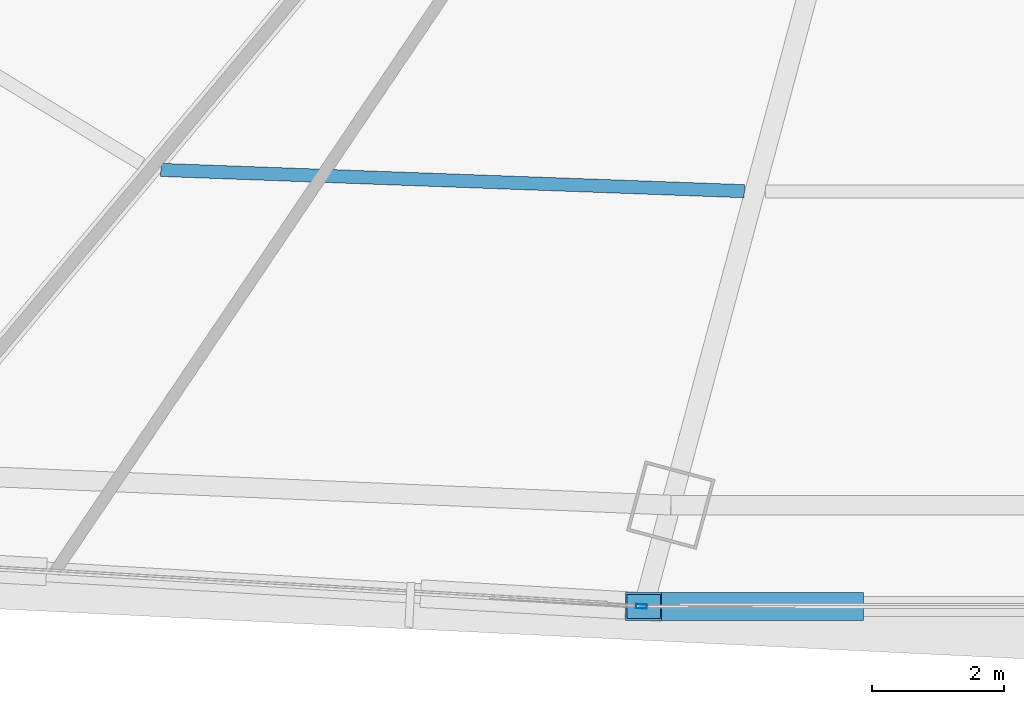
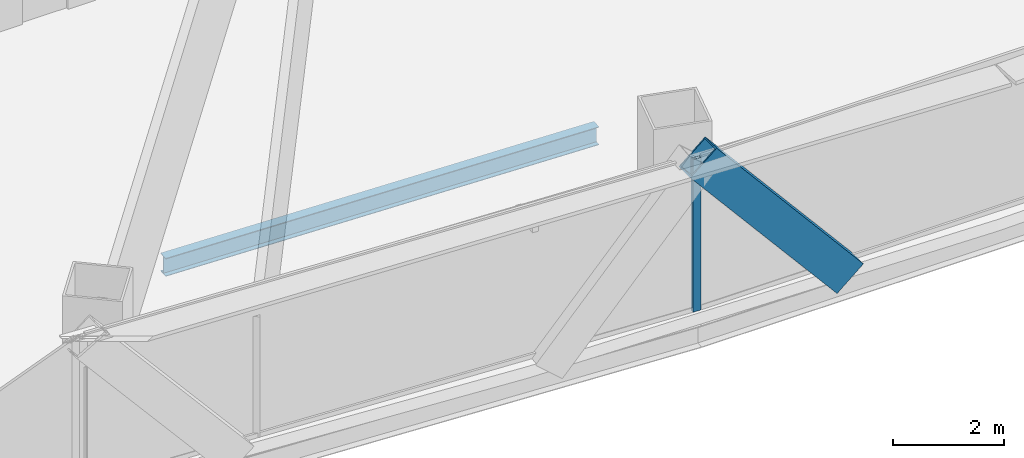
# One storey, part 8 of 42: 2 members, 1 beam, 1 element without a shape of its own.
"""IFC4 building model written with IfcOpenShell, lengths in metres."""

import ifcopenshell
import ifcopenshell.guid

model = None  # the IFC model being written
_history = None  # IfcOwnerHistory: only IFC2X3 demands one
_inside = {}  # id of a spatial element -> (the spatial element, [elements in it])
_under = {}  # id of a project, library or spatial element -> (it, [spatial elements below it])
_declared = {}  # id of a project -> (the project, [libraries it declares])
_typed = {}  # id of a type object -> (the type object, [elements of that type])
_made_of = {}  # id of a material, layer set ... -> (it, [elements and type objects made of it])


def new_model(schema):
    """Start an empty IFC model of exactly this schema.

    Asked for "IFC4X3", IfcOpenShell would pick the latest addendum, in which some entities
    have other attributes; the version numbers below select the first issue.
    IFC2X3 requires an IfcOwnerHistory on every rooted entity: one is made here for all.
    """
    global model, _history
    if schema == "IFC4X3":
        model = ifcopenshell.file(schema_version=(4, 3, 0, 0))
    else:
        model = ifcopenshell.file(schema=schema)
    _inside.clear()
    _under.clear()
    _declared.clear()
    _typed.clear()
    _made_of.clear()
    _history = None
    if model.schema == "IFC2X3":
        org = make("IfcOrganization", Name="unknown")
        user = make(
            "IfcPersonAndOrganization",
            ThePerson=make("IfcPerson", FamilyName="unknown"),
            TheOrganization=org,
        )
        app = make(
            "IfcApplication",
            ApplicationDeveloper=org,
            Version="unknown",
            ApplicationFullName="unknown",
            ApplicationIdentifier="unknown",
        )
        _history = make(
            "IfcOwnerHistory",
            OwningUser=user,
            OwningApplication=app,
            ChangeAction="ADDED",
            CreationDate=0,
        )
    return model


def make(cls, **values):
    """One entity of the class cls with the attributes given. An attribute that is None is left unset."""
    return model.create_entity(
        cls, **{name: value for name, value in values.items() if value is not None}
    )


def rooted(cls, **values):
    """An entity with a GlobalId (a new one), such as an element, a storey or a relation."""
    return make(cls, GlobalId=ifcopenshell.guid.new(), OwnerHistory=_history, **values)


def si_unit(unit_type, name, prefix=None):
    """IfcSIUnit, for example si_unit("LENGTHUNIT", "METRE", prefix="MILLI")."""
    return make("IfcSIUnit", UnitType=unit_type, Prefix=prefix, Name=name)


def assignment(units):
    """IfcUnitAssignment: the units of a project."""
    return None if units is None else make("IfcUnitAssignment", Units=units)


def point(xyz):
    """IfcCartesianPoint."""
    return None if xyz is None else make("IfcCartesianPoint", Coordinates=xyz)


def direction(xyz):
    """IfcDirection."""
    return None if xyz is None else make("IfcDirection", DirectionRatios=xyz)


def frame(location, z_axis=None, x_axis=None):
    """IfcAxis2Placement3D, a coordinate frame: its origin and axes. An axis left out is left unset."""
    return make(
        "IfcAxis2Placement3D",
        Location=point(location),
        Axis=direction(z_axis),
        RefDirection=direction(x_axis),
    )


def frame_2d(location, x_axis=None):
    """IfcAxis2Placement2D, a coordinate frame in the plane: its origin and x axis."""
    return make(
        "IfcAxis2Placement2D", Location=point(location), RefDirection=direction(x_axis)
    )


def origin():
    """The frame at (0, 0, 0) with its axes left unset."""
    return frame((0.0, 0.0, 0.0))


def origin_2d():
    """The frame at (0, 0) in the plane with its x axis left unset."""
    return frame_2d((0.0, 0.0))


def place(relative_to, where):
    """IfcLocalPlacement: puts the frame where relative to a parent placement (None: the world)."""
    return make(
        "IfcLocalPlacement", PlacementRelTo=relative_to, RelativePlacement=where
    )


def context(
    kind, dimensions, precision=None, world=None, true_north=None, identifier=None
):
    """IfcGeometricRepresentationContext, for example the 3D "Model" context."""
    return make(
        "IfcGeometricRepresentationContext",
        ContextIdentifier=identifier,
        ContextType=kind,
        CoordinateSpaceDimension=dimensions,
        Precision=precision,
        WorldCoordinateSystem=world,
        TrueNorth=true_north,
    )


def subcontext(parent, identifier, kind, view, scale=None):
    """IfcGeometricRepresentationSubContext, for example "Body" below "Model"."""
    return make(
        "IfcGeometricRepresentationSubContext",
        ContextIdentifier=identifier,
        ContextType=kind,
        ParentContext=parent,
        TargetScale=scale,
        TargetView=view,
    )


def project(units=None, contexts=None):
    """IfcProject with its units and contexts."""
    return rooted(
        "IfcProject",
        Name="project",
        RepresentationContexts=contexts,
        UnitsInContext=assignment(units),
    )


def spatial(cls, under=None, at=None, **own):
    """A site, building, storey or space (cls), placed at a placement, below another one or the project."""
    s = rooted(cls, ObjectPlacement=at, **own)
    if under is not None:
        _under.setdefault(under.id(), (under, []))[1].append(s)
    return s


def profile(cls, at=None, kind="AREA", **sizes):
    """A parametric profile (cls). Its sizes go by their IFC names, for example OverallWidth=200.0."""
    return make(cls, ProfileType=kind, Position=at, **sizes)


def hollow_rectangle(**sizes):
    """IfcRectangleHollowProfileDef."""
    return profile("IfcRectangleHollowProfileDef", **sizes)


def i_section(**sizes):
    """IfcIShapeProfileDef."""
    return profile("IfcIShapeProfileDef", **sizes)


def extrude(swept, where, along, depth):
    """IfcExtrudedAreaSolid: the profile swept, set in the frame where, extruded along a direction by depth."""
    return make(
        "IfcExtrudedAreaSolid",
        SweptArea=swept,
        Position=where,
        ExtrudedDirection=direction(along),
        Depth=depth,
    )


def shape(context_of_items, identifier, shape_type, items):
    """IfcShapeRepresentation: the items that make up one representation, for example the "Body"."""
    return make(
        "IfcShapeRepresentation",
        ContextOfItems=context_of_items,
        RepresentationIdentifier=identifier,
        RepresentationType=shape_type,
        Items=items,
    )


def source(mapping_origin, context_of_items, identifier, shape_type, items):
    """IfcRepresentationMap: a shape defined once, which mapped items show again and again."""
    return make(
        "IfcRepresentationMap",
        MappingOrigin=mapping_origin,
        MappedRepresentation=shape(context_of_items, identifier, shape_type, items),
    )


def transform(
    local_origin,
    x_axis=None,
    y_axis=None,
    z_axis=None,
    scale=None,
    scale2=None,
    scale3=None,
    uniform=True,
):
    """IfcCartesianTransformationOperator3D, or its non-uniform kind. x_axis, y_axis, z_axis: its Axis1, 2, 3."""
    if uniform:
        return make(
            "IfcCartesianTransformationOperator3D",
            Axis1=direction(x_axis),
            Axis2=direction(y_axis),
            LocalOrigin=point(local_origin),
            Scale=scale,
            Axis3=direction(z_axis),
        )
    return make(
        "IfcCartesianTransformationOperator3DnonUniform",
        Axis1=direction(x_axis),
        Axis2=direction(y_axis),
        LocalOrigin=point(local_origin),
        Scale=scale,
        Axis3=direction(z_axis),
        Scale2=scale2,
        Scale3=scale3,
    )


def mapped(mapping_source, mapping_target):
    """IfcMappedItem: shows the shape of a source again, moved by a transform."""
    return make(
        "IfcMappedItem", MappingSource=mapping_source, MappingTarget=mapping_target
    )


def material(Name=None, Category=None):
    """IfcMaterial."""
    return make("IfcMaterial", Name=Name, Category=Category)


def layer(
    of_material, thickness, ventilated=None, Name=None, Category=None, Priority=None
):
    """IfcMaterialLayer: one layer of a wall or slab, of a material (None: an air gap)."""
    return make(
        "IfcMaterialLayer",
        Material=of_material,
        LayerThickness=thickness,
        IsVentilated=ventilated,
        Name=Name,
        Category=Category,
        Priority=Priority,
    )


def layer_set(layers, Name=None):
    """IfcMaterialLayerSet."""
    return make("IfcMaterialLayerSet", MaterialLayers=layers, LayerSetName=Name)


def material_profile(
    of_material, cross_section, Name=None, Category=None, Priority=None
):
    """IfcMaterialProfile: a cross section and its material."""
    return make(
        "IfcMaterialProfile",
        Name=Name,
        Material=of_material,
        Profile=cross_section,
        Priority=Priority,
        Category=Category,
    )


def profile_set(profiles, Name=None, composite=None):
    """IfcMaterialProfileSet."""
    return make(
        "IfcMaterialProfileSet",
        Name=Name,
        MaterialProfiles=profiles,
        CompositeProfile=composite,
    )


def made_of(thing, what):
    """Note that an element or type object is made of a material, layer set ...; save() writes the relation."""
    if what is not None:
        _made_of.setdefault(what.id(), (what, []))[1].append(thing)
    return thing


def type_object(cls, material=None, **own):
    """A type object (cls), such as IfcWallType, which elements share."""
    return made_of(rooted(cls, **own), material)


def element(
    cls,
    number,
    at=None,
    inside=None,
    cuts=None,
    type_object=None,
    material=None,
    context=None,
    identifier="Body",
    shape_type=None,
    held_by="IfcProductDefinitionShape",
    body=None,
    shapes=None,
    **own,
):
    """One element of the class cls, such as IfcWall. Its Tag is "e" and its number.

    at: its placement. inside: the storey or other place that contains it. cuts: it is an
    opening in that element (IfcRelVoidsElement). A single representation is given by context,
    identifier, shape_type and body (its items); several are given by shapes. held_by: the class
    of the entity that holds the representations. save() writes the other relations.
    """
    e = rooted(cls, Tag="e%d" % number, ObjectPlacement=at, **own)
    if body is not None:
        shapes = [shape(context, identifier, shape_type, body)]
    if shapes is not None:
        e.Representation = make(held_by, Representations=shapes)
    if inside is not None:
        _inside.setdefault(inside.id(), (inside, []))[1].append(e)
    if cuts is not None:
        rooted(
            "IfcRelVoidsElement", RelatingBuildingElement=cuts, RelatedOpeningElement=e
        )
    if type_object is not None:
        _typed.setdefault(type_object.id(), (type_object, []))[1].append(e)
    return made_of(e, material)


def aggregate(whole, parts):
    """IfcRelAggregates: a whole, such as a stair, and the parts it consists of."""
    return rooted("IfcRelAggregates", RelatingObject=whole, RelatedObjects=parts)


def save(model, path):
    """Write the relations noted so far, then the file.

    IfcRelAggregates (storeys below a building ...), IfcRelContainedInSpatialStructure (elements
    in a storey), IfcRelDefinesByType, IfcRelAssociatesMaterial and IfcRelDeclares: one each for
    every whole, place, type object, material and project.
    """
    for whole, parts in _under.values():
        aggregate(whole, parts)
    for where, things in _inside.values():
        rooted(
            "IfcRelContainedInSpatialStructure",
            RelatedElements=things,
            RelatingStructure=where,
        )
    for kind, things in _typed.values():
        rooted("IfcRelDefinesByType", RelatedObjects=things, RelatingType=kind)
    for what, things in _made_of.values():
        rooted("IfcRelAssociatesMaterial", RelatedObjects=things, RelatingMaterial=what)
    for by, libraries in _declared.values():
        rooted("IfcRelDeclares", RelatingContext=by, RelatedDefinitions=libraries)
    model.write(path)


model = new_model("IFC4")

# Units and contexts
model_context = context("Model", 3, precision=1e-05, world=origin(), true_north=direction((0.0, 1.0)))
body_context = subcontext(model_context, "Body", "Model", "MODEL_VIEW")
ifc_project = project(units=[si_unit("LENGTHUNIT", "METRE"), si_unit("AREAUNIT", "SQUARE_METRE"), si_unit("VOLUMEUNIT", "CUBIC_METRE"), si_unit("PLANEANGLEUNIT", "RADIAN"), si_unit("MASSUNIT", "GRAM", prefix="KILO"), si_unit("THERMODYNAMICTEMPERATUREUNIT", "KELVIN"), si_unit("POWERUNIT", "WATT")], contexts=[model_context])

# Site, building, storey
site_placement = place(None, origin())
site = spatial("IfcSite", under=ifc_project, at=site_placement, CompositionType="ELEMENT")
building_placement = place(site_placement, origin())
building = spatial("IfcBuilding", under=site, at=building_placement, Name="Yunzhuo Pagoda Commons", CompositionType="ELEMENT")
storey_placement = place(building_placement, frame((0.0, 0.0, 44.919921875)))
storey = spatial("IfcBuildingStorey", under=building, at=storey_placement, Name="L11", CompositionType="ELEMENT", Elevation=44.919921875)

# Beam
ifc_material_1 = material(Name="Structural steel Q355B", Category="steel")
ifc_material_profile_1 = material_profile(ifc_material_1, i_section(OverallWidth=0.199951171875, OverallDepth=0.39990234375, WebThickness=0.008056640625, FlangeThickness=0.012939453125, at=origin_2d()), Name="Structural steel Q355B")
ifc_profile_set_1 = profile_set([ifc_material_profile_1], Name="Structural steel Q355B")
beam_type = type_object("IfcBeamType", Name="B-JS1 Joist HN 400x200x8x13", PredefinedType="JOIST", material=ifc_profile_set_1)
shared_shape_1 = source(origin(), body_context, "Body", "SweptSolid", [
    extrude(i_section(OverallWidth=0.199951171875, OverallDepth=0.39990234375, WebThickness=0.008056640625, FlangeThickness=0.012939453125, at=origin_2d()), origin(), (0.0, 0.0, 1.0), 8.876953125),
])
beam_placement = place(storey_placement, frame((34.527099609375, 17.448486328125, -0.4599609375), z_axis=(0.999335806416, -0.036440993601, 0.0), x_axis=(0.036440993601, 0.999335806416, 0.0)))
element("IfcBeam", 1, at=beam_placement, inside=storey, type_object=beam_type, Name="L11 composite ring joist 2.1", PredefinedType="JOIST", context=body_context, shape_type="MappedRepresentation", body=[
    mapped(shared_shape_1, transform((0.0, 0.0, 0.0), scale=1.0)),
])

# Member
ifc_material_2 = material(Name="Structural steel Q420B", Category="steel")
ifc_material_profile_2 = material_profile(ifc_material_2, hollow_rectangle(XDim=0.419921875, YDim=0.719970703125, WallThickness=0.028076171875, at=origin_2d()), Name="Structural steel Q420B")
ifc_profile_set_2 = profile_set([ifc_material_profile_2], Name="Structural steel Q420B")
member_type_1 = type_object("IfcMemberType", Name="M-DL1 Brace BOX 720x420x28", PredefinedType="BRACE", material=ifc_profile_set_2)
shared_shape_2 = source(origin(), body_context, "Body", "SweptSolid", [
    extrude(hollow_rectangle(XDim=0.419921875, YDim=0.719970703125, WallThickness=0.028076171875, at=origin_2d()), origin(), (0.0, 0.0, 1.0), 4.751953125),
])
member_1_placement = place(storey_placement, frame((44.93359375, 10.811279296875, -0.260009765625), z_axis=(-0.645329423249, 0.0, 0.763904402061), x_axis=(0.0, -1.0, 0.0)))
element("IfcMember", 2, at=member_1_placement, inside=storey, type_object=member_type_1, Name="L11 facade diamond brace F1.2L", PredefinedType="BRACE", context=body_context, shape_type="MappedRepresentation", body=[
    mapped(shared_shape_2, transform((0.0, 0.0, 0.0), scale=1.0)),
])

# Curtain wall, member
ifc_material_3 = material(Name="Anodized aluminium 6063-T6", Category="aluminium")
ifc_layer = layer(ifc_material_3, 0.1650390625)
ifc_layer_set = layer_set([ifc_layer], Name="Anodized aluminium 6063-T6")
curtain_wall_type = type_object("IfcCurtainWallType", Name="CW-LOW Low-Zone Ribbon Curtain Wall", PredefinedType="NOTDEFINED", material=ifc_layer_set)
curtain_wall_placement = place(storey_placement, origin())
curtain_wall = element("IfcCurtainWall", 3, at=curtain_wall_placement, inside=storey, type_object=curtain_wall_type, Name="L11 curtain wall CW-L11-F1B2", PredefinedType="NOTDEFINED")
ifc_material_profile_3 = material_profile(ifc_material_3, hollow_rectangle(XDim=0.06494140625, YDim=0.1650390625, WallThickness=0.00390625, at=origin_2d()), Name="Anodized aluminium 6063-T6")
ifc_profile_set_3 = profile_set([ifc_material_profile_3], Name="Anodized aluminium 6063-T6")
member_type_2 = type_object("IfcMemberType", Name="CW-LOW-M Mullion RHS 165x65x4", PredefinedType="MULLION", material=ifc_profile_set_3)
shared_shape_3 = source(origin(), body_context, "Body", "SweptSolid", [
    extrude(hollow_rectangle(XDim=0.06494140625, YDim=0.1650390625, WallThickness=0.00390625, at=origin_2d()), origin(), (0.0, 0.0, 1.0), 3.3701171875),
])
member_2_placement = place(storey_placement, frame((41.83447265625, 10.813232421875, 0.0), z_axis=(0.0, 0.0, 1.0), x_axis=(0.057790687505, 0.998328721633, 0.0)))
member_2 = element("IfcMember", 4, at=member_2_placement, type_object=member_type_2, Name="CW mullion 2", PredefinedType="MULLION", context=body_context, shape_type="MappedRepresentation", body=[
    mapped(shared_shape_3, transform((0.0, 0.0, 0.0), scale=1.0)),
])
aggregate(curtain_wall, [member_2])

save(model, "model.ifc")
